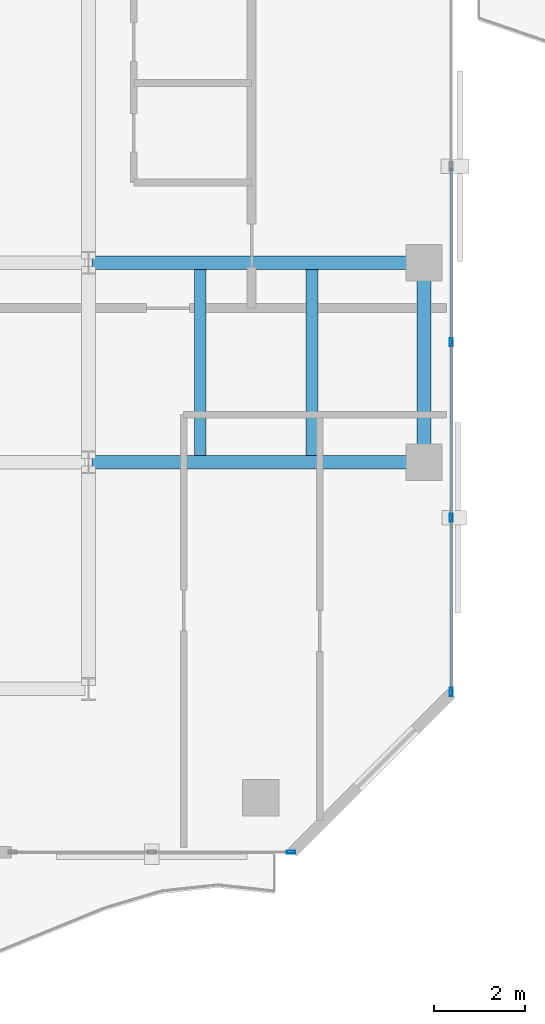
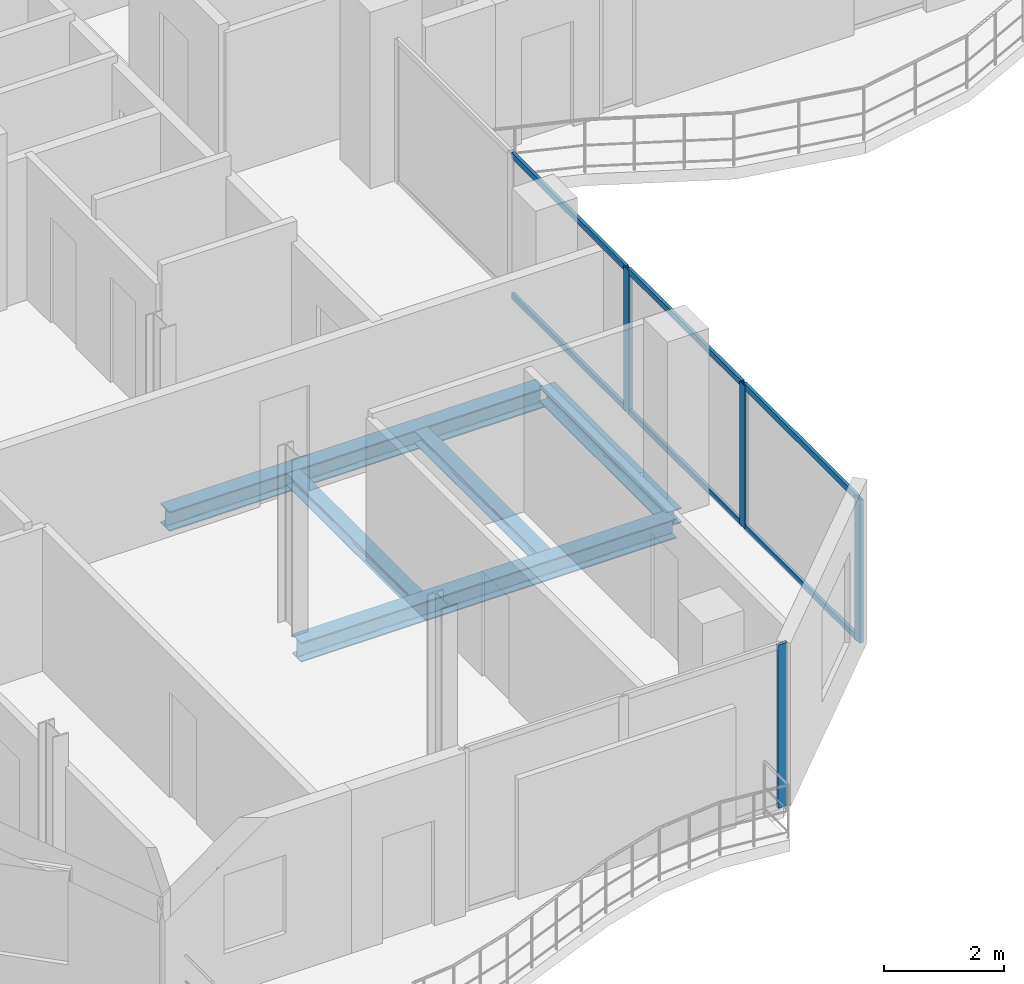
# One storey, part 6 of 23: 10 members, 5 beams, 2 elements without a shape of their own.
"""IFC4 building model written with IfcOpenShell, lengths in metres."""

from ifc_helpers import new_model, si_unit, direction, frame, origin, origin_2d, place, context, subcontext, project, spatial, hollow_rectangle, i_section, extrude, material, layer, layer_set, material_profile, profile_set, type_object, element, aggregate, save


model = new_model("IFC4")

# Units and contexts
model_context = context("Model", 3, precision=1e-05, world=origin(), true_north=direction((0.0, 1.0)))
body_context = subcontext(model_context, "Body", "Model", "MODEL_VIEW")
ifc_project = project(units=[si_unit("LENGTHUNIT", "METRE"), si_unit("AREAUNIT", "SQUARE_METRE"), si_unit("VOLUMEUNIT", "CUBIC_METRE"), si_unit("PLANEANGLEUNIT", "RADIAN"), si_unit("MASSUNIT", "GRAM", prefix="KILO")], contexts=[model_context])

# Site, building, storey
site_placement = place(None, origin())
site = spatial("IfcSite", under=ifc_project, at=site_placement, CompositionType="ELEMENT")
building_placement = place(site_placement, origin())
building = spatial("IfcBuilding", under=site, at=building_placement, Name="Catumbela Crestline Tower", CompositionType="ELEMENT")
storey_placement = place(building_placement, frame((0.0, 0.0, 183.0)))
storey = spatial("IfcBuildingStorey", under=building, at=storey_placement, Name="L47", CompositionType="ELEMENT", Elevation=183.0)

# Beams
ifc_material_1 = material(Name="Structural steel S355J2", Category="steel")
ifc_material_profile_1 = material_profile(ifc_material_1, i_section(OverallWidth=0.3, OverallDepth=0.4, WebThickness=0.0135, FlangeThickness=0.024, FilletRadius=0.027, at=origin_2d()), Name="HEB 400")
ifc_profile_set_1 = profile_set([ifc_material_profile_1], Name="Structural steel S355J2")
beam_type_1 = type_object("IfcBeamType", Name="BG-HEB400", PredefinedType="BEAM", material=ifc_profile_set_1)
for number, where, z_axis, x_axis, name in (
    (1, (16.08, 13.6, -0.46), (1.0, 0.0, 0.0), (0.0, 1.0, 0.0), "L47 Beam BM-L47-WEW34"),
    (2, (16.08, 18.0, -0.46), (1.0, 0.0, 0.0), (0.0, 1.0, 0.0), "L47 Beam BM-L47-WEW36"),
):
    element("IfcBeam", number, at=place(storey_placement, frame(where, z_axis=z_axis, x_axis=x_axis)), inside=storey, type_object=beam_type_1, Name=name, PredefinedType="BEAM", context=body_context, shape_type="SweptSolid", body=[
        extrude(i_section(OverallWidth=0.3, OverallDepth=0.4, WebThickness=0.0135, FlangeThickness=0.024, FilletRadius=0.027, at=origin_2d()), origin(), (0.0, 0.0, 1.0), 7.24),
    ])
ifc_material_profile_2 = material_profile(ifc_material_1, i_section(OverallWidth=0.26, OverallDepth=0.25, WebThickness=0.0075, FlangeThickness=0.0125, FilletRadius=0.024, at=origin_2d()), Name="HEA 260")
ifc_profile_set_2 = profile_set([ifc_material_profile_2], Name="Structural steel S355J2")
beam_type_2 = type_object("IfcBeamType", Name="BJ-HEA260", PredefinedType="JOIST", material=ifc_profile_set_2)
for number, where, z_axis, x_axis, name in (
    (3, (18.467, 13.747, -0.385), (0.0, 1.0, 0.0), (-1.0, 0.0, 0.0), "L47 Joist JS-L47-WG48"),
    (4, (20.933, 13.747, -0.385), (0.0, 1.0, 0.0), (-1.0, 0.0, 0.0), "L47 Joist JS-L47-WG49"),
):
    element("IfcBeam", number, at=place(storey_placement, frame(where, z_axis=z_axis, x_axis=x_axis)), inside=storey, type_object=beam_type_2, Name=name, PredefinedType="JOIST", context=body_context, shape_type="SweptSolid", body=[
        extrude(i_section(OverallWidth=0.26, OverallDepth=0.25, WebThickness=0.0075, FlangeThickness=0.0125, FilletRadius=0.024, at=origin_2d()), origin(), (0.0, 0.0, 1.0), 4.106),
    ])

# Curtain wall, member
ifc_material_2 = material(Name="Aluminium alloy AW-6060-T66", Category="aluminium")
ifc_layer = layer(ifc_material_2, 0.18, Name="Aluminium alloy AW-6060-T66")
ifc_layer_set = layer_set([ifc_layer], Name="Aluminium alloy AW-6060-T66")
curtain_wall_type = type_object("IfcCurtainWallType", Name="CWU-Z3", PredefinedType="USERDEFINED", material=ifc_layer_set)
curtain_wall_1_placement = place(storey_placement, origin())
curtain_wall_1 = element("IfcCurtainWall", 5, at=curtain_wall_1_placement, inside=storey, type_object=curtain_wall_type, Name="L47 Unitised Curtain Wall CW-L47-E0S2", ObjectType="UNITISED", PredefinedType="USERDEFINED")
ifc_material_profile_3 = material_profile(ifc_material_2, hollow_rectangle(XDim=0.065, YDim=0.18, WallThickness=0.004, at=origin_2d()), Name="ALU 180x65x4")
ifc_profile_set_3 = profile_set([ifc_material_profile_3], Name="Aluminium alloy AW-6060-T66")
member_type_1 = type_object("IfcMemberType", Name="MUL-180X65", PredefinedType="MULLION", material=ifc_profile_set_3)
member_1_placement = place(storey_placement, frame((20.4675, 5.0, 0.0), z_axis=(0.0, 0.0, 1.0), x_axis=(0.0, 1.0, 0.0)))
member_1 = element("IfcMember", 6, at=member_1_placement, type_object=member_type_1, Name="CWU-Z3 mullion 3", PredefinedType="MULLION", context=body_context, shape_type="SweptSolid", body=[
    extrude(hollow_rectangle(XDim=0.065, YDim=0.18, WallThickness=0.004, at=origin_2d()), origin(), (0.0, 0.0, 1.0), 3.33),
])
aggregate(curtain_wall_1, [member_1])

# Curtain wall, members
curtain_wall_2_placement = place(storey_placement, origin())
curtain_wall_2 = element("IfcCurtainWall", 7, at=curtain_wall_2_placement, inside=storey, type_object=curtain_wall_type, Name="L47 Unitised Curtain Wall CW-L47-E2S1", ObjectType="UNITISED", PredefinedType="USERDEFINED")
member_2_placement = place(storey_placement, frame((24.0, 8.5325, 0.0), z_axis=(0.0, 0.0, 1.0), x_axis=(-1.0, 0.0, 0.0)))
member_2 = element("IfcMember", 8, at=member_2_placement, type_object=member_type_1, Name="CWU-Z3 mullion 1", PredefinedType="MULLION", context=body_context, shape_type="SweptSolid", body=[
    extrude(hollow_rectangle(XDim=0.065, YDim=0.18, WallThickness=0.004, at=origin_2d()), origin(), (0.0, 0.0, 1.0), 2.92),
])
member_3_placement = place(storey_placement, frame((24.0, 12.375, 0.0), z_axis=(0.0, 0.0, 1.0), x_axis=(-1.0, 0.0, 0.0)))
member_3 = element("IfcMember", 9, at=member_3_placement, type_object=member_type_1, Name="CWU-Z3 mullion 2", PredefinedType="MULLION", context=body_context, shape_type="SweptSolid", body=[
    extrude(hollow_rectangle(XDim=0.065, YDim=0.18, WallThickness=0.004, at=origin_2d()), origin(), (0.0, 0.0, 1.0), 2.92),
])
member_4_placement = place(storey_placement, frame((24.0, 16.25, 0.0), z_axis=(0.0, 0.0, 1.0), x_axis=(-1.0, 0.0, 0.0)))
member_4 = element("IfcMember", 10, at=member_4_placement, type_object=member_type_1, Name="CWU-Z3 mullion 3", PredefinedType="MULLION", context=body_context, shape_type="SweptSolid", body=[
    extrude(hollow_rectangle(XDim=0.065, YDim=0.18, WallThickness=0.004, at=origin_2d()), origin(), (0.0, 0.0, 1.0), 2.92),
])

# Beam
ifc_material_profile_4 = material_profile(ifc_material_1, i_section(OverallWidth=0.3, OverallDepth=0.3, WebThickness=0.011, FlangeThickness=0.019, FilletRadius=0.027, at=origin_2d()), Name="HEB 300")
ifc_profile_set_4 = profile_set([ifc_material_profile_4], Name="Structural steel S355J2")
beam_type_3 = type_object("IfcBeamType", Name="BS-HEB300", PredefinedType="SPANDREL", material=ifc_profile_set_4)
beam_placement = place(storey_placement, frame((23.4, 13.68, -0.41), z_axis=(0.0, 1.0, 0.0), x_axis=(-1.0, 0.0, 0.0)))
element("IfcBeam", 11, at=beam_placement, inside=storey, type_object=beam_type_3, Name="L47 Spandrel SP-L47-WNS43", PredefinedType="SPANDREL", context=body_context, shape_type="SweptSolid", body=[
    extrude(i_section(OverallWidth=0.3, OverallDepth=0.3, WebThickness=0.011, FlangeThickness=0.019, FilletRadius=0.027, at=origin_2d()), origin(), (0.0, 0.0, 1.0), 4.24),
])

# Member
ifc_material_profile_5 = material_profile(ifc_material_2, hollow_rectangle(XDim=0.06, YDim=0.12, WallThickness=0.0035, at=origin_2d()), Name="ALU 120x60x3.5")
ifc_profile_set_5 = profile_set([ifc_material_profile_5], Name="Aluminium alloy AW-6060-T66")
member_type_2 = type_object("IfcMemberType", Name="TRN-120X60", PredefinedType="USERDEFINED", material=ifc_profile_set_5)
member_5_placement = place(storey_placement, frame((24.0, 8.565, 0.03), z_axis=(0.0, 1.0, 0.0), x_axis=(-1.0, 0.0, 0.0)))
member_5 = element("IfcMember", 12, at=member_5_placement, type_object=member_type_2, Name="CWU-Z3 transom 1.1", ObjectType="TRANSOM", PredefinedType="USERDEFINED", context=body_context, shape_type="SweptSolid", body=[
    extrude(hollow_rectangle(XDim=0.06, YDim=0.12, WallThickness=0.0035, at=origin_2d()), origin(), (0.0, 0.0, 1.0), 3.7775),
])

member_6_placement = place(storey_placement, frame((24.0, 8.565, 2.89), z_axis=(0.0, 1.0, 0.0), x_axis=(-1.0, 0.0, 0.0)))
member_6 = element("IfcMember", 13, at=member_6_placement, type_object=member_type_2, Name="CWU-Z3 transom 1.2", ObjectType="TRANSOM", PredefinedType="USERDEFINED", context=body_context, shape_type="SweptSolid", body=[
    extrude(hollow_rectangle(XDim=0.06, YDim=0.12, WallThickness=0.0035, at=origin_2d()), origin(), (0.0, 0.0, 1.0), 3.7775),
])

member_7_placement = place(storey_placement, frame((24.0, 12.4075, 0.03), z_axis=(0.0, 1.0, 0.0), x_axis=(-1.0, 0.0, 0.0)))
member_7 = element("IfcMember", 14, at=member_7_placement, type_object=member_type_2, Name="CWU-Z3 transom 2.1", ObjectType="TRANSOM", PredefinedType="USERDEFINED", context=body_context, shape_type="SweptSolid", body=[
    extrude(hollow_rectangle(XDim=0.06, YDim=0.12, WallThickness=0.0035, at=origin_2d()), origin(), (0.0, 0.0, 1.0), 3.81),
])

member_8_placement = place(storey_placement, frame((24.0, 12.4075, 2.89), z_axis=(0.0, 1.0, 0.0), x_axis=(-1.0, 0.0, 0.0)))
member_8 = element("IfcMember", 15, at=member_8_placement, type_object=member_type_2, Name="CWU-Z3 transom 2.2", ObjectType="TRANSOM", PredefinedType="USERDEFINED", context=body_context, shape_type="SweptSolid", body=[
    extrude(hollow_rectangle(XDim=0.06, YDim=0.12, WallThickness=0.0035, at=origin_2d()), origin(), (0.0, 0.0, 1.0), 3.81),
])

member_9_placement = place(storey_placement, frame((24.0, 16.2825, 0.03), z_axis=(0.0, 1.0, 0.0), x_axis=(-1.0, 0.0, 0.0)))
member_9 = element("IfcMember", 16, at=member_9_placement, type_object=member_type_2, Name="CWU-Z3 transom 3.1", ObjectType="TRANSOM", PredefinedType="USERDEFINED", context=body_context, shape_type="SweptSolid", body=[
    extrude(hollow_rectangle(XDim=0.06, YDim=0.12, WallThickness=0.0035, at=origin_2d()), origin(), (0.0, 0.0, 1.0), 3.81),
])

member_10_placement = place(storey_placement, frame((24.0, 16.2825, 2.89), z_axis=(0.0, 1.0, 0.0), x_axis=(-1.0, 0.0, 0.0)))
member_10 = element("IfcMember", 17, at=member_10_placement, type_object=member_type_2, Name="CWU-Z3 transom 3.2", ObjectType="TRANSOM", PredefinedType="USERDEFINED", context=body_context, shape_type="SweptSolid", body=[
    extrude(hollow_rectangle(XDim=0.06, YDim=0.12, WallThickness=0.0035, at=origin_2d()), origin(), (0.0, 0.0, 1.0), 3.81),
])

aggregate(curtain_wall_2, [member_2, member_3, member_4, member_5, member_6, member_7, member_8, member_9, member_10])

save(model, "model.ifc")
